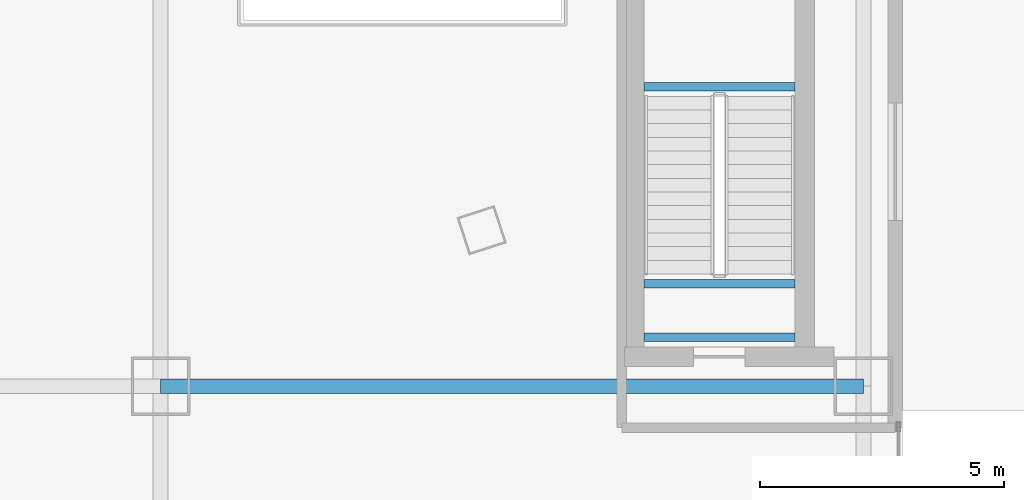
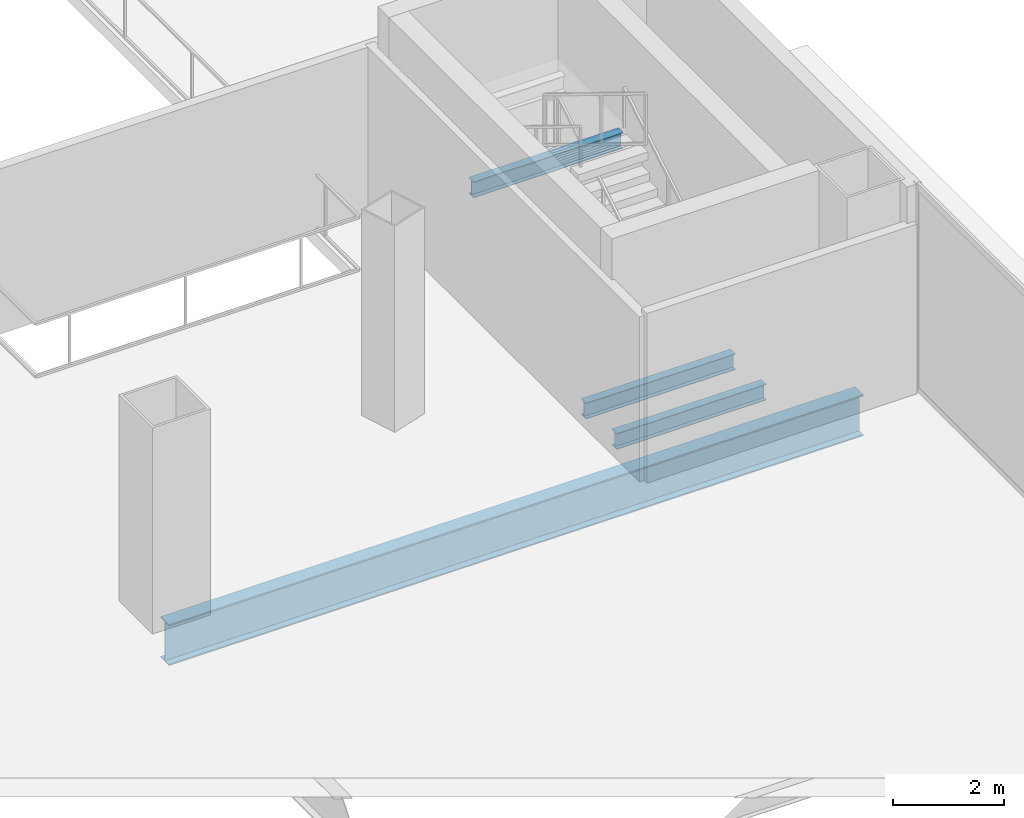
# One storey, part 26 of 58: 4 beams.
"""IFC4 building model written with IfcOpenShell, lengths in metres."""

from ifc_helpers import new_model, si_unit, direction, frame, origin, origin_2d, place, context, subcontext, project, spatial, i_section, extrude, source, transform, mapped, material, material_profile, profile_set, type_object, element, save


model = new_model("IFC4")

# Units and contexts
model_context = context("Model", 3, precision=1e-05, world=origin(), true_north=direction((0.0, 1.0)))
body_context = subcontext(model_context, "Body", "Model", "MODEL_VIEW")
ifc_project = project(units=[si_unit("LENGTHUNIT", "METRE"), si_unit("AREAUNIT", "SQUARE_METRE"), si_unit("VOLUMEUNIT", "CUBIC_METRE"), si_unit("PLANEANGLEUNIT", "RADIAN"), si_unit("MASSUNIT", "GRAM", prefix="KILO"), si_unit("THERMODYNAMICTEMPERATUREUNIT", "KELVIN"), si_unit("POWERUNIT", "WATT")], contexts=[model_context])

# Site, building, storey
site_placement = place(None, origin())
site = spatial("IfcSite", under=ifc_project, at=site_placement, CompositionType="ELEMENT")
building_placement = place(site_placement, origin())
building = spatial("IfcBuilding", under=site, at=building_placement, Name="Yunzhuo Pagoda Commons", CompositionType="ELEMENT")
storey_placement = place(building_placement, origin())
storey = spatial("IfcBuildingStorey", under=building, at=storey_placement, Name="L01", CompositionType="ELEMENT", Elevation=0.0)

# Beams
ifc_material = material(Name="Structural steel Q355B", Category="steel")
ifc_material_profile_1 = material_profile(ifc_material, i_section(OverallWidth=0.175048828125, OverallDepth=0.35009765625, WebThickness=0.007080078125, FlangeThickness=0.010986328125, at=origin_2d()), Name="Structural steel Q355B")
ifc_profile_set_1 = profile_set([ifc_material_profile_1], Name="Structural steel Q355B")
beam_type_1 = type_object("IfcBeamType", Name="B-JS2 Joist HN 350x175x7x11", PredefinedType="JOIST", material=ifc_profile_set_1)
shared_shape_1 = source(origin(), body_context, "Body", "SweptSolid", [
    extrude(i_section(OverallWidth=0.175048828125, OverallDepth=0.35009765625, WebThickness=0.007080078125, FlangeThickness=0.010986328125, at=origin_2d()), origin(), (0.0, 0.0, 1.0), 3.10009765625),
])
for number, where, z_axis, x_axis, name in (
    (1, (86.699951171875, 48.139892578125, 2.02490234375), (1.0, 0.0, 0.0), (0.0, 1.0, 0.0), "L01 PS4 landing support beam 3A"),
    (2, (86.699951171875, 43.0, -0.375), (1.0, 0.0, 0.0), (0.0, 1.0, 0.0), "L01 PS4 landing support beam 11A"),
    (3, (86.699951171875, 44.10009765625, -0.375), (1.0, 0.0, 0.0), (0.0, 1.0, 0.0), "L01 PS4 landing support beam 11B"),
):
    element("IfcBeam", number, at=place(storey_placement, frame(where, z_axis=z_axis, x_axis=x_axis)), inside=storey, type_object=beam_type_1, Name=name, PredefinedType="JOIST", context=body_context, shape_type="MappedRepresentation", body=[
        mapped(shared_shape_1, transform((0.0, 0.0, 0.0), scale=1.0)),
    ])
ifc_material_profile_2 = material_profile(ifc_material, i_section(OverallWidth=0.300048828125, OverallDepth=0.89990234375, WebThickness=0.01611328125, FlangeThickness=0.028076171875, at=origin_2d()), Name="Structural steel Q355B")
ifc_profile_set_2 = profile_set([ifc_material_profile_2], Name="Structural steel Q355B")
beam_type_2 = type_object("IfcBeamType", Name="B-PD1 Beam HN 900x300x16x28", PredefinedType="BEAM", material=ifc_profile_set_2)
shared_shape_2 = source(origin(), body_context, "Body", "SweptSolid", [
    extrude(i_section(OverallWidth=0.300048828125, OverallDepth=0.89990234375, WebThickness=0.01611328125, FlangeThickness=0.028076171875, at=origin_2d()), origin(), (0.0, 0.0, 1.0), 14.39990234375),
])
beam_placement = place(storey_placement, frame((76.800048828125, 42.0, -0.729736328125), z_axis=(1.0, 0.0, 0.0), x_axis=(0.0, 1.0, 0.0)))
element("IfcBeam", 4, at=beam_placement, inside=storey, type_object=beam_type_2, Name="L01 podium girder EW 3.5", PredefinedType="BEAM", context=body_context, shape_type="MappedRepresentation", body=[
    mapped(shared_shape_2, transform((0.0, 0.0, 0.0), scale=1.0)),
])

save(model, "model.ifc")
